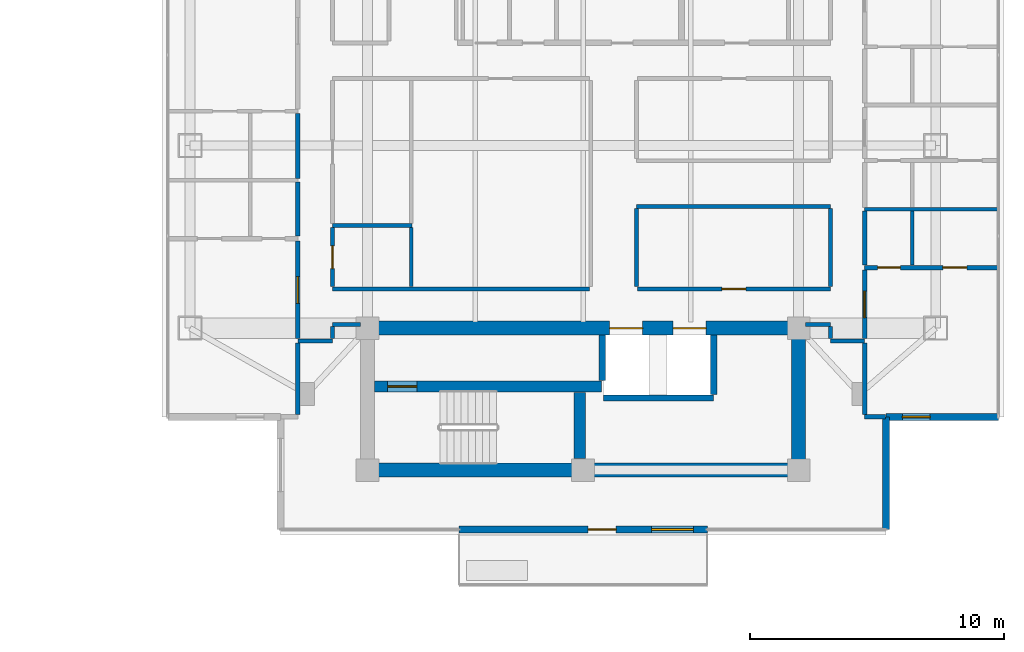
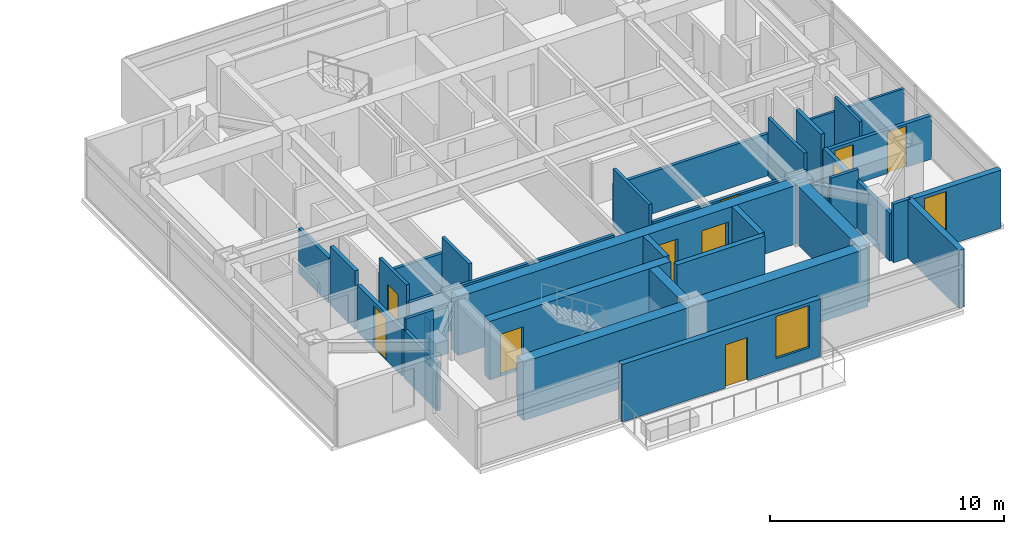
# One storey, part 15 of 23: 36 walls, 10 doors, 2 windows, 12 openings.
"""IFC4 building model written with IfcOpenShell, lengths in metres."""

from ifc_helpers import new_model, si_unit, direction, frame, frame_2d, origin, place, context, subcontext, project, spatial, rectangle, extrude, material, layer, layer_set, type_object, element, fill, save


model = new_model("IFC4")

# Units and contexts
model_context = context("Model", 3, precision=1e-05, world=origin(), true_north=direction((0.0, 1.0)))
body_context = subcontext(model_context, "Body", "Model", "MODEL_VIEW")
ifc_project = project(units=[si_unit("LENGTHUNIT", "METRE"), si_unit("AREAUNIT", "SQUARE_METRE"), si_unit("VOLUMEUNIT", "CUBIC_METRE"), si_unit("PLANEANGLEUNIT", "RADIAN"), si_unit("MASSUNIT", "GRAM", prefix="KILO")], contexts=[model_context])

# Site, building, storey
site_placement = place(None, origin())
site = spatial("IfcSite", under=ifc_project, at=site_placement, CompositionType="ELEMENT")
building_placement = place(site_placement, origin())
building = spatial("IfcBuilding", under=site, at=building_placement, Name="Mirazonda Arch Towers", CompositionType="ELEMENT")
storey_placement = place(building_placement, frame((0.0, 0.0, 183.64990234375)))
storey = spatial("IfcBuildingStorey", under=building, at=storey_placement, Name="L52", CompositionType="ELEMENT", Elevation=183.64990234375)

# Wall, opening, door
ifc_material_1 = material(Name="Concrete C50/60", Category="concrete")
ifc_layer_1 = layer(ifc_material_1, 0.449951171875, Name="WALL-CORE-450")
ifc_layer_set_1 = layer_set([ifc_layer_1], Name="Concrete C50/60")
wall_type_1 = type_object("IfcWallType", Name="WALL-CORE-450", PredefinedType="SHEAR", material=ifc_layer_set_1)
wall_1_placement = place(storey_placement, frame((68.27001953125, 18.5, 0.0), z_axis=(0.0, 0.0, 1.0), x_axis=(1.0, 0.0, 0.0)))
wall_1 = element("IfcWall", 1, at=wall_1_placement, inside=storey, type_object=wall_type_1, Name="L52 Stair Core Shear Wall 013", PredefinedType="SHEAR", context=body_context, shape_type="SweptSolid", body=[
    extrude(rectangle(XDim=8.949951171875, YDim=0.449951171875, at=frame_2d((4.47509765625, 0.0))), origin(), (0.0, 0.0, 1.0), 3.050048828125),
])
opening_1_placement = place(wall_1_placement, frame((0.52001953125, 0.0, 0.0)))
opening_1 = element("IfcOpeningElement", 2, at=opening_1_placement, cuts=wall_1, Name="Opening DR-135", PredefinedType="OPENING", context=body_context, shape_type="SweptSolid", body=[
    extrude(rectangle(XDim=1.14990234375, YDim=2.199951171875, at=frame_2d((0.574951171875, 1.10009765625))), frame((0.0, 0.23486328125, 0.0), z_axis=(0.0, -1.0, 0.0), x_axis=(1.0, 0.0, 0.0)), (0.0, 0.0, 1.0), 0.469970703125),
])
ifc_material_2 = material(Name="Architectural Brushed Steel S355", Category="steel")
door_type_1 = type_object("IfcDoorType", Name="DOOR-STAIR-FD90-1150", OperationType="NOTDEFINED", PredefinedType="DOOR", material=ifc_material_2)
door_1_placement = place(opening_1_placement, origin())
door_1 = element("IfcDoor", 3, at=door_1_placement, inside=storey, type_object=door_type_1, Name="L52 East Protected Stair South Door", OperationType="SINGLE_SWING_RIGHT", OverallHeight=2.199951171875, OverallWidth=1.14990234375, PredefinedType="DOOR", context=body_context, shape_type="SweptSolid", body=[
    extrude(rectangle(XDim=1.14990234375, YDim=2.199951171875, at=frame_2d((0.574951171875, 1.10009765625))), frame((0.0, 0.02490234375, 0.0), z_axis=(0.0, -1.0, 0.0), x_axis=(1.0, 0.0, 0.0)), (0.0, 0.0, 1.0), 0.050048828125),
])
fill(opening_1, door_1)

# Walls
wall_2_placement = place(storey_placement, frame((76.360107421875, 15.6650390625, 0.0), z_axis=(0.0, 0.0, 1.0), x_axis=(0.0, 1.0, 0.0)))
element("IfcWall", 4, at=wall_2_placement, inside=storey, type_object=wall_type_1, Name="L52 Stair Core Shear Wall 141", PredefinedType="SHEAR", context=body_context, shape_type="SweptSolid", body=[
    extrude(rectangle(XDim=2.599853515625, YDim=0.449951171875, at=frame_2d((1.2998046875, 0.0))), origin(), (0.0, 0.0, 1.0), 3.050048828125),
])
ifc_layer_2 = layer(ifc_material_1, 0.550048828125, Name="WALL-CORE-550")
ifc_layer_set_2 = layer_set([ifc_layer_2], Name="Concrete C50/60")
wall_type_2 = type_object("IfcWallType", Name="WALL-CORE-550", PredefinedType="SHEAR", material=ifc_layer_set_2)
wall_3_placement = place(storey_placement, frame((68.0, 15.199951171875, 0.0), z_axis=(0.0, 0.0, 1.0), x_axis=(1.0, 0.0, 0.0)))
element("IfcWall", 5, at=wall_3_placement, inside=storey, type_object=wall_type_2, Name="L52 T2S-S Core Shear Wall", PredefinedType="SHEAR", context=body_context, shape_type="SweptSolid", body=[
    extrude(rectangle(XDim=17.0, YDim=0.550048828125, at=frame_2d((8.5, 0.0))), origin(), (0.0, 0.0, 1.0), 3.050048828125),
])
wall_4_placement = place(storey_placement, frame((85.0, 15.199951171875, 0.0), z_axis=(0.0, 0.0, 1.0), x_axis=(0.0, 1.0, 0.0)))
element("IfcWall", 6, at=wall_4_placement, inside=storey, type_object=wall_type_2, Name="L52 T2S-E Core Shear Wall", PredefinedType="SHEAR", context=body_context, shape_type="SweptSolid", body=[
    extrude(rectangle(XDim=5.60009765625, YDim=0.550048828125, at=frame_2d((2.800048828125, 0.0))), origin(), (0.0, 0.0, 1.0), 3.050048828125),
])

# Wall, openings, doors
wall_5_placement = place(storey_placement, frame((68.0, 20.800048828125, 0.0), z_axis=(0.0, 0.0, 1.0), x_axis=(1.0, 0.0, 0.0)))
wall_5 = element("IfcWall", 7, at=wall_5_placement, inside=storey, type_object=wall_type_2, Name="L52 T2S-N Core Shear Wall", PredefinedType="SHEAR", context=body_context, shape_type="SweptSolid", body=[
    extrude(rectangle(XDim=17.0, YDim=0.550048828125, at=frame_2d((8.5, 0.0))), origin(), (0.0, 0.0, 1.0), 3.050048828125),
])
opening_2_placement = place(wall_5_placement, frame((9.550048828125, 0.0, 0.0)))
opening_2 = element("IfcOpeningElement", 8, at=opening_2_placement, cuts=wall_5, Name="Opening LD-111", PredefinedType="OPENING", context=body_context, shape_type="SweptSolid", body=[
    extrude(rectangle(XDim=1.300048828125, YDim=2.300048828125, at=frame_2d((0.64990234375, 1.14990234375))), frame((0.0, 0.284912109375, 0.0), z_axis=(0.0, -1.0, 0.0), x_axis=(1.0, 0.0, 0.0)), (0.0, 0.0, 1.0), 0.570068359375),
])
opening_3_placement = place(wall_5_placement, frame((12.050048828125, 0.0, 0.0)))
opening_3 = element("IfcOpeningElement", 9, at=opening_3_placement, cuts=wall_5, Name="Opening LD-111", PredefinedType="OPENING", context=body_context, shape_type="SweptSolid", body=[
    extrude(rectangle(XDim=1.300048828125, YDim=2.300048828125, at=frame_2d((0.64990234375, 1.14990234375))), frame((0.0, 0.284912109375, 0.0), z_axis=(0.0, -1.0, 0.0), x_axis=(1.0, 0.0, 0.0)), (0.0, 0.0, 1.0), 0.570068359375),
])
door_type_2 = type_object("IfcDoorType", Name="DOOR-LIFT-LAND-1300", OperationType="NOTDEFINED", PredefinedType="DOOR", material=ifc_material_2)
door_2_placement = place(opening_2_placement, origin())
door_2 = element("IfcDoor", 10, at=door_2_placement, inside=storey, type_object=door_type_2, Name="L52 Lift Landing Sliding Door PL-T2H1", OperationType="DOUBLE_DOOR_SLIDING", OverallHeight=2.300048828125, OverallWidth=1.300048828125, PredefinedType="DOOR", context=body_context, shape_type="SweptSolid", body=[
    extrude(rectangle(XDim=1.300048828125, YDim=2.300048828125, at=frame_2d((0.64990234375, 1.14990234375))), frame((0.0, 0.02490234375, 0.0), z_axis=(0.0, -1.0, 0.0), x_axis=(1.0, 0.0, 0.0)), (0.0, 0.0, 1.0), 0.050048828125),
])
fill(opening_2, door_2)
door_3_placement = place(opening_3_placement, origin())
door_3 = element("IfcDoor", 11, at=door_3_placement, inside=storey, type_object=door_type_2, Name="L52 Lift Landing Sliding Door PL-T2H2", OperationType="DOUBLE_DOOR_SLIDING", OverallHeight=2.300048828125, OverallWidth=1.300048828125, PredefinedType="DOOR", context=body_context, shape_type="SweptSolid", body=[
    extrude(rectangle(XDim=1.300048828125, YDim=2.300048828125, at=frame_2d((0.64990234375, 1.14990234375))), frame((0.0, 0.02490234375, 0.0), z_axis=(0.0, -1.0, 0.0), x_axis=(1.0, 0.0, 0.0)), (0.0, 0.0, 1.0), 0.050048828125),
])
fill(opening_3, door_3)

# Wall, openings, door, window
ifc_material_3 = material(Name="Precast Concrete C40/50", Category="concrete")
ifc_layer_3 = layer(ifc_material_3, 0.280029296875, Name="WALL-EXT-WALL-280")
ifc_layer_set_3 = layer_set([ifc_layer_3], Name="Precast Concrete C40/50")
wall_type_3 = type_object("IfcWallType", Name="WALL-EXT-WALL-280", PredefinedType="SOLIDWALL", material=ifc_layer_set_3)
wall_6_placement = place(storey_placement, frame((81.39990234375, 12.861572265625, 0.0), z_axis=(0.0, 0.0, 1.0), x_axis=(-1.0, 0.0, 0.0)))
wall_6 = element("IfcWall", 12, at=wall_6_placement, inside=storey, type_object=wall_type_3, Name="L52 T2 Sky-Terrace Threshold Wall WL-TERR-L52-T2", PredefinedType="SOLIDWALL", context=body_context, shape_type="SweptSolid", body=[
    extrude(rectangle(XDim=9.7998046875, YDim=0.280029296875, at=frame_2d((4.89990234375, 0.0))), origin(), (0.0, 0.0, 1.0), 3.010009765625),
])
opening_4_placement = place(wall_6_placement, frame((0.550048828125, 0.0, 0.659912109375)))
opening_4 = element("IfcOpeningElement", 13, at=opening_4_placement, cuts=wall_6, Name="Opening WN-115", PredefinedType="OPENING", context=body_context, shape_type="SweptSolid", body=[
    extrude(rectangle(XDim=1.64990234375, YDim=2.199951171875, at=frame_2d((0.824951171875, 1.10009765625))), frame((0.0, 0.14990234375, 0.0), z_axis=(0.0, -1.0, 0.0), x_axis=(1.0, 0.0, 0.0)), (0.0, 0.0, 1.0), 0.300048828125),
])
opening_5_placement = place(wall_6_placement, frame((3.60009765625, 0.0, 0.0)))
opening_5 = element("IfcOpeningElement", 14, at=opening_5_placement, cuts=wall_6, Name="Opening DR-114", PredefinedType="OPENING", context=body_context, shape_type="SweptSolid", body=[
    extrude(rectangle(XDim=1.10009765625, YDim=2.25, at=frame_2d((0.550048828125, 1.125))), frame((0.0, 0.14990234375, 0.0), z_axis=(0.0, -1.0, 0.0), x_axis=(1.0, 0.0, 0.0)), (0.0, 0.0, 1.0), 0.300048828125),
])
ifc_material_4 = material(Name="Architectural Hardwood Timber", Category="wood")
door_type_3 = type_object("IfcDoorType", Name="DOOR-TERR-EXT-1100", OperationType="NOTDEFINED", PredefinedType="DOOR", material=ifc_material_4)
door_4_placement = place(opening_5_placement, origin())
door_4 = element("IfcDoor", 15, at=door_4_placement, inside=storey, type_object=door_type_3, Name="L52 Exterior Door DR-TERR-L52-T2", OperationType="SINGLE_SWING_LEFT", OverallHeight=2.25, OverallWidth=1.10009765625, PredefinedType="DOOR", context=body_context, shape_type="SweptSolid", body=[
    extrude(rectangle(XDim=1.10009765625, YDim=2.25, at=frame_2d((0.550048828125, 1.125))), frame((0.0, 0.02490234375, 0.0), z_axis=(0.0, -1.0, 0.0), x_axis=(1.0, 0.0, 0.0)), (0.0, 0.0, 1.0), 0.050048828125),
])
fill(opening_5, door_4)
ifc_material_5 = material(Name="Insulated Low-E Solar Glass", Category="glass")
window_type_1 = type_object("IfcWindowType", Name="WIN-RES-1650x2200", PartitioningType="SINGLE_PANEL", PredefinedType="WINDOW", material=ifc_material_5)
window_1_placement = place(opening_4_placement, origin())
window_1 = element("IfcWindow", 16, at=window_1_placement, inside=storey, type_object=window_type_1, Name="L52 Punched Facade Window WN-TERR-L52-T2", OverallHeight=2.199951171875, OverallWidth=1.64990234375, PartitioningType="SINGLE_PANEL", PredefinedType="WINDOW", context=body_context, shape_type="SweptSolid", body=[
    extrude(rectangle(XDim=1.64990234375, YDim=2.199951171875, at=frame_2d((0.824951171875, 1.10009765625))), frame((0.0, 0.030029296875, 0.0), z_axis=(0.0, -1.0, 0.0), x_axis=(1.0, 0.0, 0.0)), (0.0, 0.0, 1.0), 0.06005859375),
])
fill(opening_4, window_1)

# Wall, opening, window
wall_7_placement = place(storey_placement, frame((88.437744140625, 17.30126953125, 0.0), z_axis=(0.0, 0.0, 1.0), x_axis=(1.0, 0.0, 0.0)))
wall_7 = element("IfcWall", 17, at=wall_7_placement, inside=storey, type_object=wall_type_3, Name="L52 T2 Corner Notch Return Wall WL-L52-T2-CSE1", PredefinedType="SOLIDWALL", context=body_context, shape_type="SweptSolid", body=[
    extrude(rectangle(XDim=4.439697265625, YDim=0.280029296875, at=frame_2d((2.2197265625, 0.0))), origin(), (0.0, 0.0, 1.0), 3.030029296875),
])
opening_6_placement = place(wall_7_placement, frame((0.64990234375, 0.0, 0.85009765625)))
opening_6 = element("IfcOpeningElement", 18, at=opening_6_placement, cuts=wall_7, Name="Opening WN-108", PredefinedType="OPENING", context=body_context, shape_type="SweptSolid", body=[
    extrude(rectangle(XDim=1.10009765625, YDim=2.0, at=frame_2d((0.550048828125, 1.0))), frame((0.0, 0.14990234375, 0.0), z_axis=(0.0, -1.0, 0.0), x_axis=(1.0, 0.0, 0.0)), (0.0, 0.0, 1.0), 0.300048828125),
])
window_type_2 = type_object("IfcWindowType", Name="WIN-NOTCH-1100x2000", PartitioningType="SINGLE_PANEL", PredefinedType="WINDOW", material=ifc_material_5)
window_2_placement = place(opening_6_placement, origin())
window_2 = element("IfcWindow", 19, at=window_2_placement, inside=storey, type_object=window_type_2, Name="L52 Punched Facade Window WN-L52-T2-CSE1", OverallHeight=2.0, OverallWidth=1.10009765625, PartitioningType="SINGLE_PANEL", PredefinedType="WINDOW", context=body_context, shape_type="SweptSolid", body=[
    extrude(rectangle(XDim=1.10009765625, YDim=2.0, at=frame_2d((0.550048828125, 1.0))), frame((0.0, 0.030029296875, 0.0), z_axis=(0.0, -1.0, 0.0), x_axis=(1.0, 0.0, 0.0)), (0.0, 0.0, 1.0), 0.06005859375),
])
fill(opening_6, window_2)

# Walls
wall_8_placement = place(storey_placement, frame((88.437744140625, 12.861572265625, 0.0), z_axis=(0.0, 0.0, 1.0), x_axis=(0.0, 1.0, 0.0)))
element("IfcWall", 20, at=wall_8_placement, inside=storey, type_object=wall_type_3, Name="L52 T2 Corner Notch Return Wall WL-L52-T2-CSE2", PredefinedType="SOLIDWALL", context=body_context, shape_type="SweptSolid", body=[
    extrude(rectangle(XDim=4.439697265625, YDim=0.280029296875, at=frame_2d((2.2197265625, 0.0))), origin(), (0.0, 0.0, 1.0), 3.030029296875),
])
ifc_material_6 = material(Name="Fire-Rated Gypsum Stud Partition")
ifc_layer_4 = layer(ifc_material_6, 0.14990234375, Name="WALL-PART-CORR-150")
ifc_layer_set_4 = layer_set([ifc_layer_4], Name="Fire-Rated Gypsum Stud Partition")
wall_type_4 = type_object("IfcWallType", Name="WALL-PART-CORR-150", PredefinedType="PARTITIONING", material=ifc_layer_set_4)
wall_9_placement = place(storey_placement, frame((65.25, 20.300048828125, 0.0), z_axis=(0.0, 0.0, 1.0), x_axis=(1.0, 0.0, 0.0)))
element("IfcWall", 21, at=wall_9_placement, inside=storey, type_object=wall_type_4, Name="L52 Interior Partition 016", PredefinedType="PARTITIONING", context=body_context, shape_type="SweptSolid", body=[
    extrude(rectangle(XDim=1.3701171875, YDim=0.14990234375, at=frame_2d((0.68505859375, 0.0))), origin(), (0.0, 0.0, 1.0), 3.050048828125),
])
wall_10_placement = place(storey_placement, frame((86.25, 20.300048828125, 0.0), z_axis=(0.0, 0.0, 1.0), x_axis=(1.0, 0.0, 0.0)))
element("IfcWall", 22, at=wall_10_placement, inside=storey, type_object=wall_type_4, Name="L52 Interior Partition 017", PredefinedType="PARTITIONING", context=body_context, shape_type="SweptSolid", body=[
    extrude(rectangle(XDim=1.35009765625, YDim=0.14990234375, at=frame_2d((0.675048828125, 0.0))), origin(), (0.0, 0.0, 1.0), 3.050048828125),
])
wall_11_placement = place(storey_placement, frame((66.6201171875, 20.949951171875, 0.0), z_axis=(0.0, 0.0, 1.0), x_axis=(1.0, 0.0, 0.0)))
element("IfcWall", 23, at=wall_11_placement, inside=storey, type_object=wall_type_4, Name="L52 Interior Partition 018", PredefinedType="PARTITIONING", context=body_context, shape_type="SweptSolid", body=[
    extrude(rectangle(XDim=1.10986328125, YDim=0.14990234375, at=frame_2d((0.554931640625, 0.0))), origin(), (0.0, 0.0, 1.0), 2.442138671875),
])
wall_12_placement = place(storey_placement, frame((85.27001953125, 20.949951171875, 0.0), z_axis=(0.0, 0.0, 1.0), x_axis=(1.0, 0.0, 0.0)))
element("IfcWall", 24, at=wall_12_placement, inside=storey, type_object=wall_type_4, Name="L52 Interior Partition 019", PredefinedType="PARTITIONING", context=body_context, shape_type="SweptSolid", body=[
    extrude(rectangle(XDim=0.97998046875, YDim=0.14990234375, at=frame_2d((0.489990234375, 0.0))), origin(), (0.0, 0.0, 1.0), 2.442138671875),
])
wall_13_placement = place(storey_placement, frame((66.6201171875, 22.35009765625, 0.0), z_axis=(0.0, 0.0, 1.0), x_axis=(1.0, 0.0, 0.0)))
element("IfcWall", 25, at=wall_13_placement, inside=storey, type_object=wall_type_4, Name="L52 Interior Partition 021", PredefinedType="PARTITIONING", context=body_context, shape_type="SweptSolid", body=[
    extrude(rectangle(XDim=10.139892578125, YDim=0.14990234375, at=frame_2d((5.06982421875, 0.0))), origin(), (0.0, 0.0, 1.0), 2.18603515625),
])

# Wall, opening, door
wall_14_placement = place(storey_placement, frame((78.639892578125, 22.35009765625, 0.0), z_axis=(0.0, 0.0, 1.0), x_axis=(1.0, 0.0, 0.0)))
wall_14 = element("IfcWall", 26, at=wall_14_placement, inside=storey, type_object=wall_type_4, Name="L52 Interior Partition 022", PredefinedType="PARTITIONING", context=body_context, shape_type="SweptSolid", body=[
    extrude(rectangle(XDim=7.610107421875, YDim=0.14990234375, at=frame_2d((3.80517578125, 0.0))), origin(), (0.0, 0.0, 1.0), 2.18603515625),
])
opening_7_placement = place(wall_14_placement, frame((3.330078125, 0.0, 0.0)))
opening_7 = element("IfcOpeningElement", 27, at=opening_7_placement, cuts=wall_14, Name="Opening DR-104", PredefinedType="OPENING", context=body_context, shape_type="SweptSolid", body=[
    extrude(rectangle(XDim=0.949951171875, YDim=2.14990234375, at=frame_2d((0.47509765625, 1.074951171875))), frame((0.0, 0.0849609375, 0.0), z_axis=(0.0, -1.0, 0.0), x_axis=(1.0, 0.0, 0.0)), (0.0, 0.0, 1.0), 0.169921875),
])
door_type_4 = type_object("IfcDoorType", Name="DOOR-ROOM-950", OperationType="NOTDEFINED", PredefinedType="DOOR", material=ifc_material_2)
door_5_placement = place(opening_7_placement, origin())
door_5 = element("IfcDoor", 28, at=door_5_placement, inside=storey, type_object=door_type_4, Name="L52 L52 Tower 2 South-East Salon Door", OperationType="SINGLE_SWING_LEFT", OverallHeight=2.14990234375, OverallWidth=0.949951171875, PredefinedType="DOOR", context=body_context, shape_type="SweptSolid", body=[
    extrude(rectangle(XDim=0.949951171875, YDim=2.14990234375, at=frame_2d((0.47509765625, 1.074951171875))), frame((0.0, 0.02490234375, 0.0), z_axis=(0.0, -1.0, 0.0), x_axis=(1.0, 0.0, 0.0)), (0.0, 0.0, 1.0), 0.050048828125),
])
fill(opening_7, door_5)

# Walls
wall_15_placement = place(storey_placement, frame((66.6201171875, 24.85009765625, 0.0), z_axis=(0.0, 0.0, 1.0), x_axis=(1.0, 0.0, 0.0)))
element("IfcWall", 29, at=wall_15_placement, inside=storey, type_object=wall_type_4, Name="L52 Interior Partition 027", PredefinedType="PARTITIONING", context=body_context, shape_type="SweptSolid", body=[
    extrude(rectangle(XDim=3.1298828125, YDim=0.14990234375, at=frame_2d((1.56494140625, 0.0))), origin(), (0.0, 0.0, 1.0), 2.18603515625),
])
wall_16_placement = place(storey_placement, frame((78.60009765625, 25.60009765625, 0.0), z_axis=(0.0, 0.0, 1.0), x_axis=(1.0, 0.0, 0.0)))
element("IfcWall", 30, at=wall_16_placement, inside=storey, type_object=wall_type_4, Name="L52 Interior Partition 028", PredefinedType="PARTITIONING", context=body_context, shape_type="SweptSolid", body=[
    extrude(rectangle(XDim=7.64990234375, YDim=0.14990234375, at=frame_2d((3.824951171875, 0.0))), origin(), (0.0, 0.0, 1.0), 2.18603515625),
])
wall_17_placement = place(storey_placement, frame((66.6201171875, 20.385009765625, 0.0), z_axis=(0.0, 0.0, 1.0), x_axis=(0.0, 1.0, 0.0)))
element("IfcWall", 31, at=wall_17_placement, inside=storey, type_object=wall_type_4, Name="L52 Interior Partition 130", PredefinedType="PARTITIONING", context=body_context, shape_type="SweptSolid", body=[
    extrude(rectangle(XDim=0.47998046875, YDim=0.14990234375, at=frame_2d((0.239990234375, 0.0))), origin(), (0.0, 0.0, 1.0), 2.442138671875),
])

# Wall, opening, door
wall_18_placement = place(storey_placement, frame((66.6201171875, 22.43505859375, 0.0), z_axis=(0.0, 0.0, 1.0), x_axis=(0.0, 1.0, 0.0)))
wall_18 = element("IfcWall", 32, at=wall_18_placement, inside=storey, type_object=wall_type_4, Name="L52 Interior Partition 131", PredefinedType="PARTITIONING", context=body_context, shape_type="SweptSolid", body=[
    extrude(rectangle(XDim=2.329833984375, YDim=0.14990234375, at=frame_2d((1.1650390625, 0.0))), origin(), (0.0, 0.0, 1.0), 3.050048828125),
])
opening_8_placement = place(wall_18_placement, frame((0.715087890625, 0.0, 0.0)))
opening_8 = element("IfcOpeningElement", 33, at=opening_8_placement, cuts=wall_18, Name="Opening DR-120", PredefinedType="OPENING", context=body_context, shape_type="SweptSolid", body=[
    extrude(rectangle(XDim=0.89990234375, YDim=2.10009765625, at=frame_2d((0.449951171875, 1.050048828125))), frame((0.0, 0.0849609375, 0.0), z_axis=(0.0, -1.0, 0.0), x_axis=(1.0, 0.0, 0.0)), (0.0, 0.0, 1.0), 0.169921875),
])
door_type_5 = type_object("IfcDoorType", Name="DOOR-WC-900", OperationType="NOTDEFINED", PredefinedType="DOOR", material=ifc_material_2)
door_6_placement = place(opening_8_placement, origin())
door_6 = element("IfcDoor", 34, at=door_6_placement, inside=storey, type_object=door_type_5, Name="L52 Tower 2 Common Accessible WC Door", OperationType="SINGLE_SWING_LEFT", OverallHeight=2.10009765625, OverallWidth=0.89990234375, PredefinedType="DOOR", context=body_context, shape_type="SweptSolid", body=[
    extrude(rectangle(XDim=0.89990234375, YDim=2.10009765625, at=frame_2d((0.449951171875, 1.050048828125))), frame((0.0, 0.02490234375, 0.0), z_axis=(0.0, -1.0, 0.0), x_axis=(1.0, 0.0, 0.0)), (0.0, 0.0, 1.0), 0.050048828125),
])
fill(opening_8, door_6)

# Walls
wall_19_placement = place(storey_placement, frame((69.723388671875, 22.43505859375, 0.0), z_axis=(0.0, 0.0, 1.0), x_axis=(0.0, 1.0, 0.0)))
element("IfcWall", 35, at=wall_19_placement, inside=storey, type_object=wall_type_4, Name="L52 Interior Partition 135", PredefinedType="PARTITIONING", context=body_context, shape_type="SweptSolid", body=[
    extrude(rectangle(XDim=2.329833984375, YDim=0.14990234375, at=frame_2d((1.1650390625, 0.0))), origin(), (0.0, 0.0, 1.0), 3.050048828125),
])
wall_20_placement = place(storey_placement, frame((78.60009765625, 22.43505859375, 0.0), z_axis=(0.0, 0.0, 1.0), x_axis=(0.0, 1.0, 0.0)))
element("IfcWall", 36, at=wall_20_placement, inside=storey, type_object=wall_type_4, Name="L52 Interior Partition 145", PredefinedType="PARTITIONING", context=body_context, shape_type="SweptSolid", body=[
    extrude(rectangle(XDim=3.079833984375, YDim=0.14990234375, at=frame_2d((1.5400390625, 0.0))), origin(), (0.0, 0.0, 1.0), 3.050048828125),
])
wall_21_placement = place(storey_placement, frame((86.25, 20.385009765625, 0.0), z_axis=(0.0, 0.0, 1.0), x_axis=(0.0, 1.0, 0.0)))
element("IfcWall", 37, at=wall_21_placement, inside=storey, type_object=wall_type_4, Name="L52 Interior Partition 152", PredefinedType="PARTITIONING", context=body_context, shape_type="SweptSolid", body=[
    extrude(rectangle(XDim=0.47998046875, YDim=0.14990234375, at=frame_2d((0.239990234375, 0.0))), origin(), (0.0, 0.0, 1.0), 2.442138671875),
])
wall_22_placement = place(storey_placement, frame((86.25, 22.43505859375, 0.0), z_axis=(0.0, 0.0, 1.0), x_axis=(0.0, 1.0, 0.0)))
element("IfcWall", 38, at=wall_22_placement, inside=storey, type_object=wall_type_4, Name="L52 Interior Partition 153", PredefinedType="PARTITIONING", context=body_context, shape_type="SweptSolid", body=[
    extrude(rectangle(XDim=3.079833984375, YDim=0.14990234375, at=frame_2d((1.5400390625, 0.0))), origin(), (0.0, 0.0, 1.0), 3.050048828125),
])
ifc_material_7 = material(Name="Fire-Rated Gypsum Twin-Stud Assembly")
ifc_layer_5 = layer(ifc_material_7, 0.179931640625, Name="WALL-PART-DEMISE-180")
ifc_layer_set_5 = layer_set([ifc_layer_5], Name="Fire-Rated Gypsum Twin-Stud Assembly")
wall_type_5 = type_object("IfcWallType", Name="WALL-PART-DEMISE-180", PredefinedType="PARTITIONING", material=ifc_layer_set_5)
wall_23_placement = place(storey_placement, frame((87.60009765625, 17.301025390625, 0.0), z_axis=(0.0, 0.0, 1.0), x_axis=(1.0, 0.0, 0.0)))
element("IfcWall", 39, at=wall_23_placement, inside=storey, type_object=wall_type_5, Name="L52 Interior Partition 009", PredefinedType="PARTITIONING", context=body_context, shape_type="SweptSolid", body=[
    extrude(rectangle(XDim=0.817626953125, YDim=0.179931640625, at=frame_2d((0.40869140625, 0.0))), origin(), (0.0, 0.0, 1.0), 3.050048828125),
])

# Wall, openings, doors
wall_24_placement = place(storey_placement, frame((87.60009765625, 23.19189453125, 0.0), z_axis=(0.0, 0.0, 1.0), x_axis=(1.0, 0.0, 0.0)))
wall_24 = element("IfcWall", 40, at=wall_24_placement, inside=storey, type_object=wall_type_5, Name="L52 Interior Partition 024", PredefinedType="PARTITIONING", context=body_context, shape_type="SweptSolid", body=[
    extrude(rectangle(XDim=5.27685546875, YDim=0.179931640625, at=frame_2d((2.638427734375, 0.0))), origin(), (0.0, 0.0, 1.0), 2.26904296875),
])
opening_9_placement = place(wall_24_placement, frame((3.08349609375, 0.0, 0.0)))
opening_9 = element("IfcOpeningElement", 41, at=opening_9_placement, cuts=wall_24, Name="Opening DR-104", PredefinedType="OPENING", context=body_context, shape_type="SweptSolid", body=[
    extrude(rectangle(XDim=0.949951171875, YDim=2.14990234375, at=frame_2d((0.47509765625, 1.074951171875))), frame((0.0, 0.099853515625, 0.0), z_axis=(0.0, -1.0, 0.0), x_axis=(1.0, 0.0, 0.0)), (0.0, 0.0, 1.0), 0.199951171875),
])
opening_10_placement = place(wall_24_placement, frame((0.510009765625, 0.0, 0.0)))
opening_10 = element("IfcOpeningElement", 42, at=opening_10_placement, cuts=wall_24, Name="Opening DR-120", PredefinedType="OPENING", context=body_context, shape_type="SweptSolid", body=[
    extrude(rectangle(XDim=0.89990234375, YDim=2.10009765625, at=frame_2d((0.449951171875, 1.050048828125))), frame((0.0, 0.099853515625, 0.0), z_axis=(0.0, -1.0, 0.0), x_axis=(1.0, 0.0, 0.0)), (0.0, 0.0, 1.0), 0.199951171875),
])
door_7_placement = place(opening_9_placement, origin())
door_7 = element("IfcDoor", 43, at=door_7_placement, inside=storey, type_object=door_type_4, Name="L52 Studio 1 Galley Kitchen Door", OperationType="SINGLE_SWING_LEFT", OverallHeight=2.14990234375, OverallWidth=0.949951171875, PredefinedType="DOOR", context=body_context, shape_type="SweptSolid", body=[
    extrude(rectangle(XDim=0.949951171875, YDim=2.14990234375, at=frame_2d((0.47509765625, 1.074951171875))), frame((0.0, 0.02490234375, 0.0), z_axis=(0.0, -1.0, 0.0), x_axis=(1.0, 0.0, 0.0)), (0.0, 0.0, 1.0), 0.050048828125),
])
fill(opening_9, door_7)
door_8_placement = place(opening_10_placement, origin())
door_8 = element("IfcDoor", 44, at=door_8_placement, inside=storey, type_object=door_type_5, Name="L52 Studio 1 Bathroom Door", OperationType="SINGLE_SWING_RIGHT", OverallHeight=2.10009765625, OverallWidth=0.89990234375, PredefinedType="DOOR", context=body_context, shape_type="SweptSolid", body=[
    extrude(rectangle(XDim=0.89990234375, YDim=2.10009765625, at=frame_2d((0.449951171875, 1.050048828125))), frame((0.0, 0.02490234375, 0.0), z_axis=(0.0, -1.0, 0.0), x_axis=(1.0, 0.0, 0.0)), (0.0, 0.0, 1.0), 0.050048828125),
])
fill(opening_10, door_8)

# Wall
wall_25_placement = place(storey_placement, frame((65.25, 17.40087890625, 0.0), z_axis=(0.0, 0.0, 1.0), x_axis=(0.0, 1.0, 0.0)))
element("IfcWall", 45, at=wall_25_placement, inside=storey, type_object=wall_type_5, Name="L52 Interior Partition 124", PredefinedType="PARTITIONING", context=body_context, shape_type="SweptSolid", body=[
    extrude(rectangle(XDim=2.814208984375, YDim=0.179931640625, at=frame_2d((1.4072265625, 0.0))), origin(), (0.0, 0.0, 1.0), 2.4931640625),
])

# Wall, opening, door
wall_26_placement = place(storey_placement, frame((65.25, 20.385009765625, 0.0), z_axis=(0.0, 0.0, 1.0), x_axis=(0.0, 1.0, 0.0)))
wall_26 = element("IfcWall", 46, at=wall_26_placement, inside=storey, type_object=wall_type_5, Name="L52 Interior Partition 125", PredefinedType="PARTITIONING", context=body_context, shape_type="SweptSolid", body=[
    extrude(rectangle(XDim=3.846923828125, YDim=0.179931640625, at=frame_2d((1.92333984375, 0.0))), origin(), (0.0, 0.0, 1.0), 2.442138671875),
])
opening_11_placement = place(wall_26_placement, frame((1.3984375, 0.0, 0.0)))
opening_11 = element("IfcOpeningElement", 47, at=opening_11_placement, cuts=wall_26, Name="Opening DR-121", PredefinedType="OPENING", context=body_context, shape_type="SweptSolid", body=[
    extrude(rectangle(XDim=1.050048828125, YDim=2.199951171875, at=frame_2d((0.52490234375, 1.10009765625))), frame((0.0, 0.099853515625, 0.0), z_axis=(0.0, -1.0, 0.0), x_axis=(1.0, 0.0, 0.0)), (0.0, 0.0, 1.0), 0.199951171875),
])
door_type_6 = type_object("IfcDoorType", Name="DOOR-SUITE-FD60-1050", OperationType="NOTDEFINED", PredefinedType="DOOR", material=ifc_material_2)
door_9_placement = place(opening_11_placement, origin())
door_9 = element("IfcDoor", 48, at=door_9_placement, inside=storey, type_object=door_type_6, Name="L52 Studio Apartment 1 Living Salon Door", OperationType="SINGLE_SWING_RIGHT", OverallHeight=2.199951171875, OverallWidth=1.050048828125, PredefinedType="DOOR", context=body_context, shape_type="SweptSolid", body=[
    extrude(rectangle(XDim=1.050048828125, YDim=2.199951171875, at=frame_2d((0.52490234375, 1.10009765625))), frame((0.0, 0.02490234375, 0.0), z_axis=(0.0, -1.0, 0.0), x_axis=(1.0, 0.0, 0.0)), (0.0, 0.0, 1.0), 0.050048828125),
])
fill(opening_11, door_9)

# Walls
wall_27_placement = place(storey_placement, frame((65.25, 24.431884765625, 0.0), z_axis=(0.0, 0.0, 1.0), x_axis=(0.0, 1.0, 0.0)))
element("IfcWall", 49, at=wall_27_placement, inside=storey, type_object=wall_type_5, Name="L52 Interior Partition 126", PredefinedType="PARTITIONING", context=body_context, shape_type="SweptSolid", body=[
    extrude(rectangle(XDim=2.127685546875, YDim=0.179931640625, at=frame_2d((1.06396484375, 0.0))), origin(), (0.0, 0.0, 1.0), 3.050048828125),
])
wall_28_placement = place(storey_placement, frame((65.25, 26.70458984375, 0.0), z_axis=(0.0, 0.0, 1.0), x_axis=(0.0, 1.0, 0.0)))
element("IfcWall", 50, at=wall_28_placement, inside=storey, type_object=wall_type_5, Name="L52 Interior Partition 127", PredefinedType="PARTITIONING", context=body_context, shape_type="SweptSolid", body=[
    extrude(rectangle(XDim=2.5625, YDim=0.179931640625, at=frame_2d((1.28125, 0.0))), origin(), (0.0, 0.0, 1.0), 2.34619140625),
])
wall_29_placement = place(storey_placement, frame((87.60009765625, 17.40087890625, 0.0), z_axis=(0.0, 0.0, 1.0), x_axis=(0.0, 1.0, 0.0)))
element("IfcWall", 51, at=wall_29_placement, inside=storey, type_object=wall_type_5, Name="L52 Interior Partition 156", PredefinedType="PARTITIONING", context=body_context, shape_type="SweptSolid", body=[
    extrude(rectangle(XDim=2.814208984375, YDim=0.179931640625, at=frame_2d((1.4072265625, 0.0))), origin(), (0.0, 0.0, 1.0), 2.4931640625),
])

# Wall, opening, door
wall_30_placement = place(storey_placement, frame((87.60009765625, 20.385009765625, 0.0), z_axis=(0.0, 0.0, 1.0), x_axis=(0.0, 1.0, 0.0)))
wall_30 = element("IfcWall", 52, at=wall_30_placement, inside=storey, type_object=wall_type_5, Name="L52 Interior Partition 157", PredefinedType="PARTITIONING", context=body_context, shape_type="SweptSolid", body=[
    extrude(rectangle(XDim=2.70703125, YDim=0.179931640625, at=frame_2d((1.353515625, 0.0))), origin(), (0.0, 0.0, 1.0), 2.442138671875),
])
opening_12_placement = place(wall_30_placement, frame((0.82861328125, 0.0, 0.0)))
opening_12 = element("IfcOpeningElement", 53, at=opening_12_placement, cuts=wall_30, Name="Opening DR-121", PredefinedType="OPENING", context=body_context, shape_type="SweptSolid", body=[
    extrude(rectangle(XDim=1.050048828125, YDim=2.199951171875, at=frame_2d((0.52490234375, 1.10009765625))), frame((0.0, 0.099853515625, 0.0), z_axis=(0.0, -1.0, 0.0), x_axis=(1.0, 0.0, 0.0)), (0.0, 0.0, 1.0), 0.199951171875),
])
door_10_placement = place(opening_12_placement, origin())
door_10 = element("IfcDoor", 54, at=door_10_placement, inside=storey, type_object=door_type_6, Name="L52 Studio Apartment 1 Living Salon Door", OperationType="SINGLE_SWING_RIGHT", OverallHeight=2.199951171875, OverallWidth=1.050048828125, PredefinedType="DOOR", context=body_context, shape_type="SweptSolid", body=[
    extrude(rectangle(XDim=1.050048828125, YDim=2.199951171875, at=frame_2d((0.52490234375, 1.10009765625))), frame((0.0, 0.02490234375, 0.0), z_axis=(0.0, -1.0, 0.0), x_axis=(1.0, 0.0, 0.0)), (0.0, 0.0, 1.0), 0.050048828125),
])
fill(opening_12, door_10)

# Walls
wall_31_placement = place(storey_placement, frame((87.60009765625, 23.2919921875, 0.0), z_axis=(0.0, 0.0, 1.0), x_axis=(0.0, 1.0, 0.0)))
element("IfcWall", 55, at=wall_31_placement, inside=storey, type_object=wall_type_5, Name="L52 Interior Partition 158", PredefinedType="PARTITIONING", context=body_context, shape_type="SweptSolid", body=[
    extrude(rectangle(XDim=2.12744140625, YDim=0.179931640625, at=frame_2d((1.063720703125, 0.0))), origin(), (0.0, 0.0, 1.0), 3.050048828125),
])
ifc_material_8 = material(Name="Acoustic Fire-Rated Gypsum Partition")
ifc_layer_6 = layer(ifc_material_8, 0.125, Name="WALL-PART-UNIT-125")
ifc_layer_set_6 = layer_set([ifc_layer_6], Name="Acoustic Fire-Rated Gypsum Partition")
wall_type_6 = type_object("IfcWallType", Name="WALL-PART-UNIT-125", PredefinedType="PARTITIONING", material=ifc_layer_set_6)
wall_32_placement = place(storey_placement, frame((87.60009765625, 25.491943359375, 0.0), z_axis=(0.0, 0.0, 1.0), x_axis=(1.0, 0.0, 0.0)))
element("IfcWall", 56, at=wall_32_placement, inside=storey, type_object=wall_type_6, Name="L52 Interior Partition 029", PredefinedType="PARTITIONING", context=body_context, shape_type="SweptSolid", body=[
    extrude(rectangle(XDim=5.27685546875, YDim=0.125, at=frame_2d((2.638427734375, 0.0))), origin(), (0.0, 0.0, 1.0), 2.26904296875),
])
wall_33_placement = place(storey_placement, frame((89.47998046875, 23.2919921875, 0.0), z_axis=(0.0, 0.0, 1.0), x_axis=(0.0, 1.0, 0.0)))
element("IfcWall", 57, at=wall_33_placement, inside=storey, type_object=wall_type_6, Name="L52 Interior Partition 164", PredefinedType="PARTITIONING", context=body_context, shape_type="SweptSolid", body=[
    extrude(rectangle(XDim=2.12744140625, YDim=0.125, at=frame_2d((1.063720703125, 0.0))), origin(), (0.0, 0.0, 1.0), 3.050048828125),
])
ifc_material_9 = material(Name="Concrete C40/50", Category="concrete")
ifc_layer_7 = layer(ifc_material_9, 0.25, Name="WALL-SHAFT-250")
ifc_layer_set_7 = layer_set([ifc_layer_7], Name="Concrete C40/50")
wall_type_7 = type_object("IfcWallType", Name="WALL-SHAFT-250", PredefinedType="SOLIDWALL", material=ifc_layer_set_7)
wall_34_placement = place(storey_placement, frame((77.300048828125, 18.050048828125, 0.0), z_axis=(0.0, 0.0, 1.0), x_axis=(1.0, 0.0, 0.0)))
element("IfcWall", 58, at=wall_34_placement, inside=storey, type_object=wall_type_7, Name="L52 Interior Partition 010", PredefinedType="SOLIDWALL", context=body_context, shape_type="SweptSolid", body=[
    extrude(rectangle(XDim=4.349853515625, YDim=0.25, at=frame_2d((2.1748046875, 0.0))), origin(), (0.0, 0.0, 1.0), 3.050048828125),
])
wall_35_placement = place(storey_placement, frame((77.260009765625, 18.735107421875, 0.0), z_axis=(0.0, 0.0, 1.0), x_axis=(0.0, 1.0, 0.0)))
element("IfcWall", 59, at=wall_35_placement, inside=storey, type_object=wall_type_7, Name="L52 Interior Partition 144", PredefinedType="SOLIDWALL", context=body_context, shape_type="SweptSolid", body=[
    extrude(rectangle(XDim=1.794921875, YDim=0.25, at=frame_2d((0.8974609375, 0.0))), origin(), (0.0, 0.0, 1.0), 3.050048828125),
])
wall_36_placement = place(storey_placement, frame((81.64990234375, 18.18505859375, 0.0), z_axis=(0.0, 0.0, 1.0), x_axis=(0.0, 1.0, 0.0)))
element("IfcWall", 60, at=wall_36_placement, inside=storey, type_object=wall_type_7, Name="L52 Interior Partition 150", PredefinedType="SOLIDWALL", context=body_context, shape_type="SweptSolid", body=[
    extrude(rectangle(XDim=2.344970703125, YDim=0.25, at=frame_2d((1.17236328125, 0.0))), origin(), (0.0, 0.0, 1.0), 3.050048828125),
])

save(model, "model.ifc")
